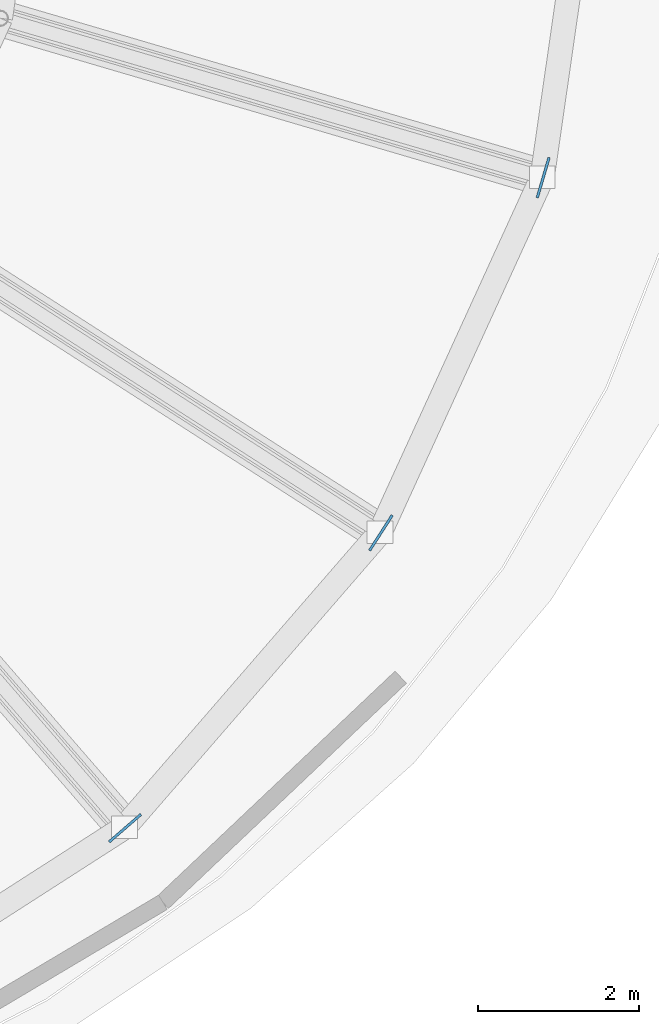
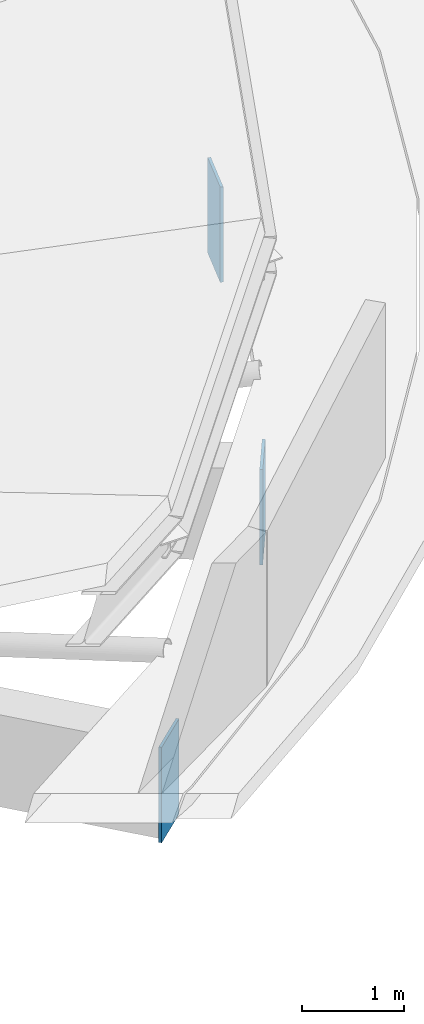
# One storey, part 41 of 69: 3 plates.
"""IFC4 building model written with IfcOpenShell, lengths in metres."""

from ifc_helpers import new_model, si_unit, direction, frame, origin, origin_2d, place, context, subcontext, project, spatial, rectangle, extrude, material, layer, layer_set, type_object, element, save


model = new_model("IFC4")

# Units and contexts
model_context = context("Model", 3, precision=1e-05, world=origin(), true_north=direction((0.0, 1.0)))
body_context = subcontext(model_context, "Body", "Model", "MODEL_VIEW")
ifc_project = project(units=[si_unit("LENGTHUNIT", "METRE"), si_unit("AREAUNIT", "SQUARE_METRE"), si_unit("VOLUMEUNIT", "CUBIC_METRE"), si_unit("PLANEANGLEUNIT", "RADIAN"), si_unit("MASSUNIT", "GRAM", prefix="KILO")], contexts=[model_context])

# Site, building, storey
site_placement = place(None, origin())
site = spatial("IfcSite", under=ifc_project, at=site_placement, CompositionType="ELEMENT")
building_placement = place(site_placement, origin())
building = spatial("IfcBuilding", under=site, at=building_placement, Name="Pelvatis Terrace Science Centre", CompositionType="ELEMENT")
storey_placement = place(building_placement, frame((0.0, 0.0, 15.0)))
storey = spatial("IfcBuildingStorey", under=building, at=storey_placement, Name="L03", CompositionType="ELEMENT", Elevation=15.0)

# Plates
ifc_material = material(Name="Structural steel S355", Category="steel")
ifc_layer = layer(ifc_material, 1.139892578125)
ifc_layer_set = layer_set([ifc_layer], Name="Structural steel S355")
plate_type = type_object("IfcPlateType", Name="PLT-CAP-BOX1100", PredefinedType="USERDEFINED", material=ifc_layer_set)
for number, where, z_axis, x_axis, name in (
    (1, (89.140380859375, 41.7431640625, -2.1201171875), (0.0, 0.0, 1.0), (0.654872725061, -0.755739183826, 0.0), "Hollow box girder end cap plate 054"),
    (2, (92.311279296875, 45.402587890625, -2.1201171875), (0.0, 0.0, 1.0), (0.841227797435, -0.540680860418, 0.0), "Hollow box girder end cap plate 056"),
    (3, (94.322998046875, 49.80712890625, -2.1201171875), (0.0, 0.0, 1.0), (0.959510852267, -0.281671660596, 0.0), "Hollow box girder end cap plate 058"),
):
    element("IfcPlate", number, at=place(storey_placement, frame(where, z_axis=z_axis, x_axis=x_axis)), inside=storey, type_object=plate_type, Name=name, ObjectType="CAP PLATE", PredefinedType="USERDEFINED", context=body_context, shape_type="SweptSolid", body=[
        extrude(rectangle(XDim=0.031982421875, YDim=0.52001953125, at=origin_2d()), origin(), (0.0, 0.0, 1.0), 1.139892578125),
    ])

save(model, "model.ifc")
